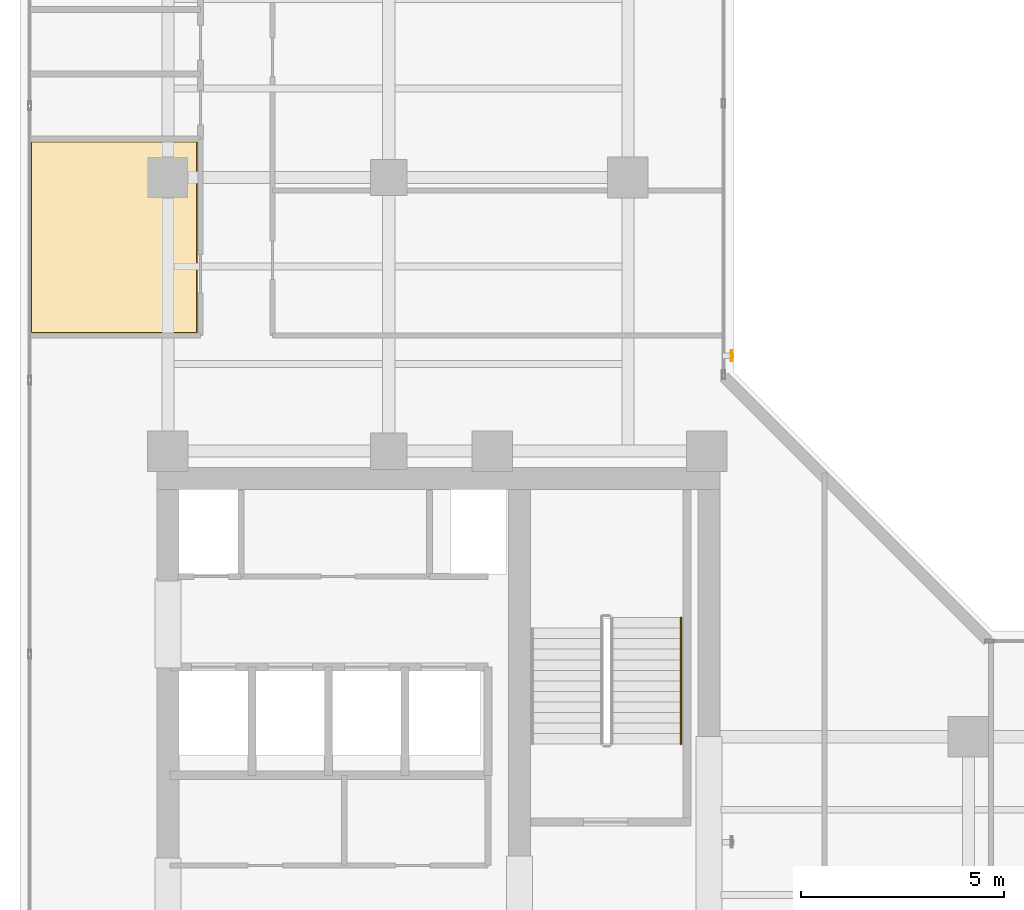
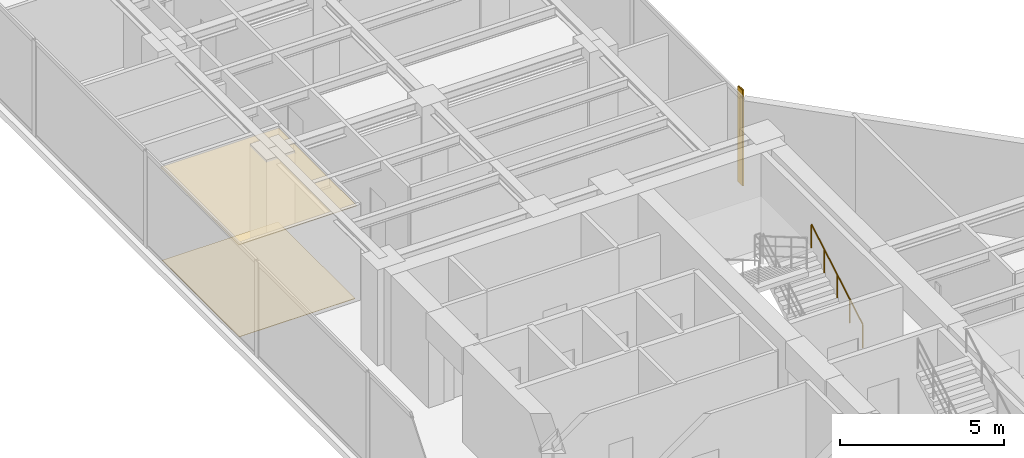
# One storey, part 22 of 23: 2 coverings, 1 railing, 1 shading device.
"""IFC4 building model written with IfcOpenShell, lengths in metres."""

from ifc_helpers import new_model, si_unit, direction, frame, origin, origin_2d, place, context, subcontext, project, spatial, polyline, hollow_rectangle, circle, outline, extrude, material, layer, layer_set, material_profile, profile_set, type_object, element, save


model = new_model("IFC4")

# Units and contexts
model_context = context("Model", 3, precision=1e-05, world=origin(), true_north=direction((0.0, 1.0)))
body_context = subcontext(model_context, "Body", "Model", "MODEL_VIEW")
ifc_project = project(units=[si_unit("LENGTHUNIT", "METRE"), si_unit("AREAUNIT", "SQUARE_METRE"), si_unit("VOLUMEUNIT", "CUBIC_METRE"), si_unit("PLANEANGLEUNIT", "RADIAN"), si_unit("MASSUNIT", "GRAM", prefix="KILO")], contexts=[model_context])

# Site, building, storey
site_placement = place(None, origin())
site = spatial("IfcSite", under=ifc_project, at=site_placement, CompositionType="ELEMENT")
building_placement = place(site_placement, origin())
building = spatial("IfcBuilding", under=site, at=building_placement, Name="Kolvaren Waterfront Exchange", CompositionType="ELEMENT")
storey_placement = place(building_placement, frame((0.0, 0.0, 231.10009765625)))
storey = spatial("IfcBuildingStorey", under=building, at=storey_placement, Name="L59", CompositionType="ELEMENT", Elevation=231.10009765625)

# Covering
ifc_material_1 = material(Name="Mineral fibre acoustic ceiling tile")
ifc_layer_1 = layer(ifc_material_1, 0.02490234375, Name="Mineral fibre acoustic ceiling tile")
ifc_layer_set_1 = layer_set([ifc_layer_1], Name="Mineral fibre acoustic ceiling tile")
covering_type_1 = type_object("IfcCoveringType", Name="ARC-CEIL-ACOUSTIC-25", PredefinedType="CEILING", material=ifc_layer_set_1)
covering_1_placement = place(storey_placement, frame((0.0, 0.0, 3.44482421875)))
element("IfcCovering", 1, at=covering_1_placement, inside=storey, type_object=covering_type_1, Name="L59 acoustic suspended ceiling 1", PredefinedType="CEILING", context=body_context, shape_type="SweptSolid", body=[
    extrude(outline(polyline([(8.18505859375, 27.344970703125), (8.18505859375, 32.10498046875), (4.044921875, 32.10498046875), (4.044921875, 27.344970703125), (8.18505859375, 27.344970703125)])), origin(), (0.0, 0.0, 1.0), 0.025146484375),
])

# Shading device
ifc_material_2 = material(Name="Anodised bronze aluminium 6063-T6", Category="aluminium")
ifc_material_profile = material_profile(ifc_material_2, hollow_rectangle(XDim=0.054931640625, YDim=0.280029296875, WallThickness=0.00439453125, at=origin_2d()), Name="BRZ-FIN-280x55x4.5")
ifc_profile_set = profile_set([ifc_material_profile], Name="Anodised bronze aluminium 6063-T6")
shading_device_type = type_object("IfcShadingDeviceType", Name="ARC-FIN-280", PredefinedType="USERDEFINED", material=ifc_profile_set)
shading_device_placement = place(storey_placement, frame((21.360107421875, 26.800048828125, 0.0), z_axis=(0.0, 0.0, 1.0), x_axis=(1.0, 0.0, 0.0)))
element("IfcShadingDevice", 2, at=shading_device_placement, inside=storey, type_object=shading_device_type, Name="L59 anodised bronze solar shading fin FIN-L59-E2", ObjectType="SOLAR FIN", PredefinedType="USERDEFINED", context=body_context, shape_type="SweptSolid", body=[
    extrude(hollow_rectangle(XDim=0.054931640625, YDim=0.280029296875, WallThickness=0.00439453125, at=origin_2d()), origin(), (0.0, 0.0, 1.0), 3.559814453125),
])

# Covering
ifc_material_3 = material(Name="Slip-resistant porcelain tile")
ifc_layer_2 = layer(ifc_material_3, 0.014892578125, Name="Slip-resistant porcelain tile")
ifc_layer_set_2 = layer_set([ifc_layer_2], Name="Slip-resistant porcelain tile")
covering_type_2 = type_object("IfcCoveringType", Name="ARC-FLR-PORC-15", PredefinedType="FLOORING", material=ifc_layer_set_2)
covering_2_placement = place(storey_placement, origin())
element("IfcCovering", 3, at=covering_2_placement, inside=storey, type_object=covering_type_2, Name="L59 floor finish 1", PredefinedType="FLOORING", context=body_context, shape_type="SweptSolid", body=[
    extrude(outline(polyline([(4.080078125, 32.070068359375), (4.080078125, 27.3798828125), (8.14990234375, 27.3798828125), (8.14990234375, 32.070068359375), (4.080078125, 32.070068359375)])), origin(), (0.0, 0.0, 1.0), 0.014892578125),
])

# Railing
ifc_material_4 = material(Name="Stainless steel 316", Category="steel")
railing_type = type_object("IfcRailingType", Name="ARC-HANDRAIL-900", PredefinedType="HANDRAIL", material=ifc_material_4)
railing_placement = place(storey_placement, frame((20.110107421875, 17.219970703125, 0.15185546875)))
element("IfcRailing", 4, at=railing_placement, inside=storey, type_object=railing_type, Name="L59 ST2 stair handrail 1", PredefinedType="HANDRAIL", context=body_context, shape_type="SweptSolid", body=[
    extrude(circle(Radius=0.02392578125, at=origin_2d()), frame((0.0, 0.0, 0.8759765625), z_axis=(0.0, 0.86330811405, 0.504677223793), x_axis=(-1.0, 0.0, 0.0)), (0.0, 0.0, 1.0), 3.6142578125),
    extrude(circle(Radius=0.02099609375, at=origin_2d()), origin(), (0.0, 0.0, 1.0), 0.851806640625),
    extrude(circle(Radius=0.02099609375, at=origin_2d()), frame((0.0, 0.780029296875, 0.4560546875)), (0.0, 0.0, 1.0), 0.851806640625),
    extrude(circle(Radius=0.02099609375, at=origin_2d()), frame((0.0, 1.56005859375, 0.912109375)), (0.0, 0.0, 1.0), 0.851806640625),
    extrude(circle(Radius=0.02099609375, at=origin_2d()), frame((0.0, 2.340087890625, 1.367919921875)), (0.0, 0.0, 1.0), 0.851806640625),
    extrude(circle(Radius=0.02099609375, at=origin_2d()), frame((0.0, 3.1201171875, 1.823974609375)), (0.0, 0.0, 1.0), 0.851806640625),
])

save(model, "model.ifc")
